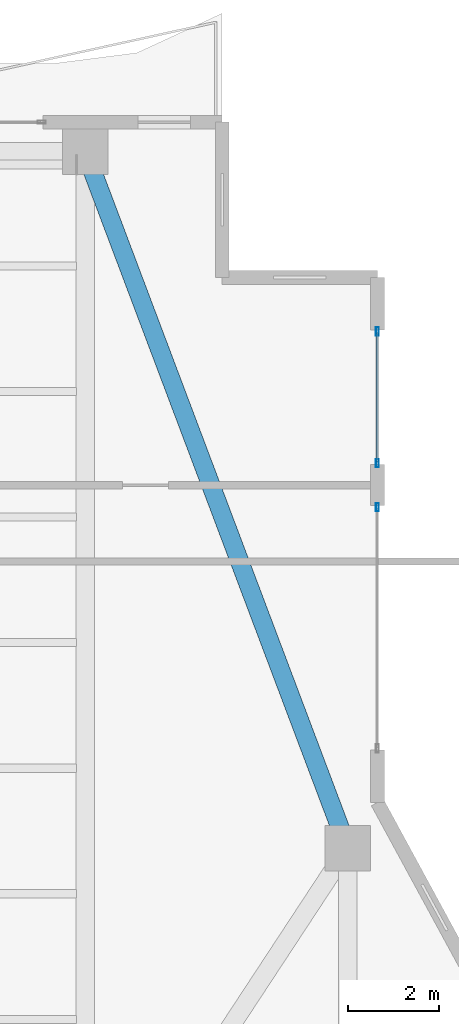
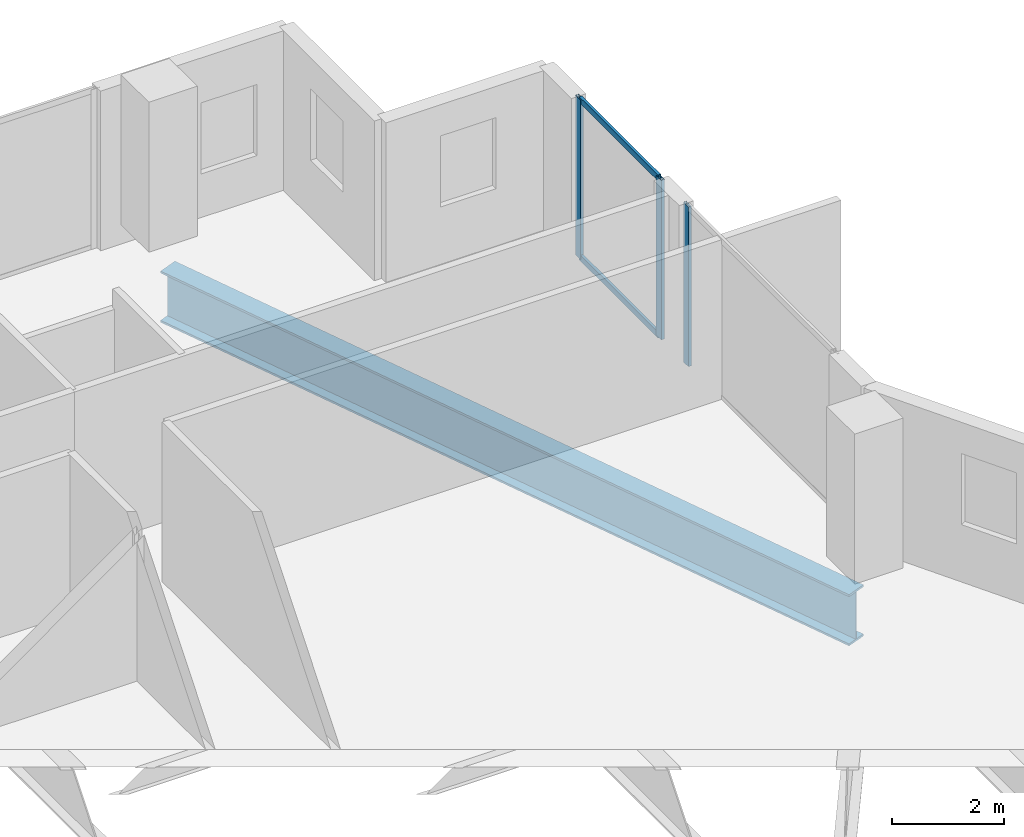
# One storey, part 16 of 28: 5 members, 1 beam, 2 elements without a shape of their own.
"""IFC4 building model written with IfcOpenShell, lengths in metres."""

from ifc_helpers import new_model, si_unit, direction, frame, origin, origin_2d, place, context, subcontext, project, spatial, hollow_rectangle, i_section, extrude, material, layer, layer_set, material_profile, profile_set, type_object, element, aggregate, save


model = new_model("IFC4")

# Units and contexts
model_context = context("Model", 3, precision=1e-05, world=origin(), true_north=direction((0.0, 1.0)))
body_context = subcontext(model_context, "Body", "Model", "MODEL_VIEW")
ifc_project = project(units=[si_unit("LENGTHUNIT", "METRE"), si_unit("AREAUNIT", "SQUARE_METRE"), si_unit("VOLUMEUNIT", "CUBIC_METRE"), si_unit("PLANEANGLEUNIT", "RADIAN"), si_unit("MASSUNIT", "GRAM", prefix="KILO")], contexts=[model_context])

# Site, building, storey
site_placement = place(None, origin())
site = spatial("IfcSite", under=ifc_project, at=site_placement, CompositionType="ELEMENT")
building_placement = place(site_placement, origin())
building = spatial("IfcBuilding", under=site, at=building_placement, Name="Zuhayl Quay Hotel", CompositionType="ELEMENT")
storey_placement = place(building_placement, frame((0.0, 0.0, 239.64990234375)))
storey = spatial("IfcBuildingStorey", under=building, at=storey_placement, Name="L60", CompositionType="ELEMENT", Elevation=239.64990234375)

# Beam
ifc_material_1 = material(Name="Steel ASTM A913 Grade 65", Category="steel")
ifc_material_profile_1 = material_profile(ifc_material_1, i_section(OverallWidth=0.404052734375, OverallDepth=1.117919921875, WebThickness=0.026123046875, FlangeThickness=0.044921875, at=origin_2d()), Name="W44X335")
ifc_profile_set_1 = profile_set([ifc_material_profile_1], Name="Steel ASTM A913 Grade 65")
beam_type = type_object("IfcBeamType", Name="BM_TG1_W44X335", PredefinedType="BEAM", material=ifc_profile_set_1)
beam_placement = place(storey_placement, frame((19.4794921875, 23.287109375, -0.81884765625), z_axis=(-0.352804115283, 0.935697203287, 0.0), x_axis=(-0.935697203287, -0.352804115283, 0.0)))
element("IfcBeam", 1, at=beam_placement, inside=storey, type_object=beam_type, Name="L60 Floor Beam RG_L60_06", PredefinedType="BEAM", context=body_context, shape_type="SweptSolid", body=[
    extrude(i_section(OverallWidth=0.404052734375, OverallDepth=1.117919921875, WebThickness=0.026123046875, FlangeThickness=0.044921875, at=origin_2d()), origin(), (0.0, 0.0, 1.0), 15.89794921875),
])

# Curtain wall, members
ifc_material_2 = material(Name="Anodised Aluminium 6063-T6", Category="aluminium")
ifc_layer = layer(ifc_material_2, 0.169921875, Name="Anodised Aluminium 6063-T6", Category="aluminium")
ifc_layer_set = layer_set([ifc_layer], Name="Anodised Aluminium 6063-T6")
curtain_wall_type = type_object("IfcCurtainWallType", Name="CW_SYS_Z4", PredefinedType="USERDEFINED", material=ifc_layer_set)
curtain_wall_1_placement = place(storey_placement, origin())
curtain_wall_1 = element("IfcCurtainWall", 2, at=curtain_wall_1_placement, inside=storey, type_object=curtain_wall_type, Name="L60 Curtain Wall ENV_L60_E11_CW1", ObjectType="UNITISED CURTAIN WALL", PredefinedType="USERDEFINED")
ifc_material_3 = material(Name="Black-anodised aluminium 6063-T6", Category="aluminium")
ifc_material_profile_2 = material_profile(ifc_material_3, hollow_rectangle(XDim=0.06494140625, YDim=0.179931640625, WallThickness=0.00341796875, at=origin_2d()), Name="ALU180X65")
ifc_profile_set_2 = profile_set([ifc_material_profile_2], Name="Black-anodised aluminium 6063-T6")
member_type_1 = type_object("IfcMemberType", Name="MB_CW_MUL_180", PredefinedType="MULLION", material=ifc_profile_set_2)
member_1_placement = place(storey_placement, frame((20.199951171875, 34.41748046875, 0.0), z_axis=(0.0, 0.0, 1.0), x_axis=(1.0, 0.0, 0.0)))
member_1 = element("IfcMember", 3, at=member_1_placement, type_object=member_type_1, Name="CW-Z4 mullion 1", PredefinedType="MULLION", context=body_context, shape_type="SweptSolid", body=[
    extrude(hollow_rectangle(XDim=0.06494140625, YDim=0.179931640625, WallThickness=0.00341796875, at=origin_2d()), origin(), (0.0, 0.0, 1.0), 3.47998046875),
])
member_2_placement = place(storey_placement, frame((20.199951171875, 31.532470703125, 0.0), z_axis=(0.0, 0.0, 1.0), x_axis=(1.0, 0.0, 0.0)))
member_2 = element("IfcMember", 4, at=member_2_placement, type_object=member_type_1, Name="CW-Z4 mullion 2", PredefinedType="MULLION", context=body_context, shape_type="SweptSolid", body=[
    extrude(hollow_rectangle(XDim=0.06494140625, YDim=0.179931640625, WallThickness=0.00341796875, at=origin_2d()), origin(), (0.0, 0.0, 1.0), 3.47998046875),
])

# Curtain wall, member
curtain_wall_2_placement = place(storey_placement, origin())
curtain_wall_2 = element("IfcCurtainWall", 5, at=curtain_wall_2_placement, inside=storey, type_object=curtain_wall_type, Name="L60 Curtain Wall ENV_L60_E11_CW2", ObjectType="UNITISED CURTAIN WALL", PredefinedType="USERDEFINED")
member_3_placement = place(storey_placement, frame((20.199951171875, 30.5673828125, 0.0), z_axis=(0.0, 0.0, 1.0), x_axis=(1.0, 0.0, 0.0)))
member_3 = element("IfcMember", 6, at=member_3_placement, type_object=member_type_1, Name="CW-Z4 mullion 1", PredefinedType="MULLION", context=body_context, shape_type="SweptSolid", body=[
    extrude(hollow_rectangle(XDim=0.06494140625, YDim=0.179931640625, WallThickness=0.00341796875, at=origin_2d()), origin(), (0.0, 0.0, 1.0), 3.47998046875),
])
aggregate(curtain_wall_2, [member_3])

# Member
ifc_material_profile_3 = material_profile(ifc_material_3, hollow_rectangle(XDim=0.054931640625, YDim=0.1298828125, WallThickness=0.0029296875, at=origin_2d()), Name="ALU130X55")
ifc_profile_set_3 = profile_set([ifc_material_profile_3], Name="Black-anodised aluminium 6063-T6")
member_type_2 = type_object("IfcMemberType", Name="MB_CW_TRN_130", PredefinedType="USERDEFINED", material=ifc_profile_set_3)
member_4_placement = place(storey_placement, frame((20.199951171875, 34.385009765625, 0.027587890625), z_axis=(0.0, -1.0, 0.0), x_axis=(1.0, 0.0, 0.0)))
member_4 = element("IfcMember", 7, at=member_4_placement, type_object=member_type_2, Name="CW-Z4 transom 1.1", ObjectType="TRANSOM", PredefinedType="USERDEFINED", context=body_context, shape_type="SweptSolid", body=[
    extrude(hollow_rectangle(XDim=0.054931640625, YDim=0.1298828125, WallThickness=0.0029296875, at=origin_2d()), origin(), (0.0, 0.0, 1.0), 2.820068359375),
])

member_5_placement = place(storey_placement, frame((20.199951171875, 34.385009765625, 3.45263671875), z_axis=(0.0, -1.0, 0.0), x_axis=(1.0, 0.0, 0.0)))
member_5 = element("IfcMember", 8, at=member_5_placement, type_object=member_type_2, Name="CW-Z4 transom 1.2", ObjectType="TRANSOM", PredefinedType="USERDEFINED", context=body_context, shape_type="SweptSolid", body=[
    extrude(hollow_rectangle(XDim=0.054931640625, YDim=0.1298828125, WallThickness=0.0029296875, at=origin_2d()), origin(), (0.0, 0.0, 1.0), 2.820068359375),
])

aggregate(curtain_wall_1, [member_1, member_2, member_4, member_5])

save(model, "model.ifc")
